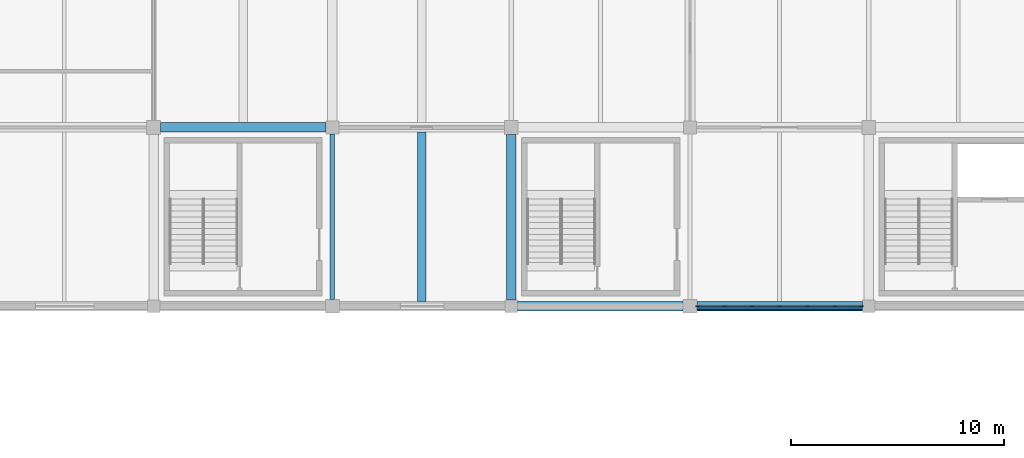
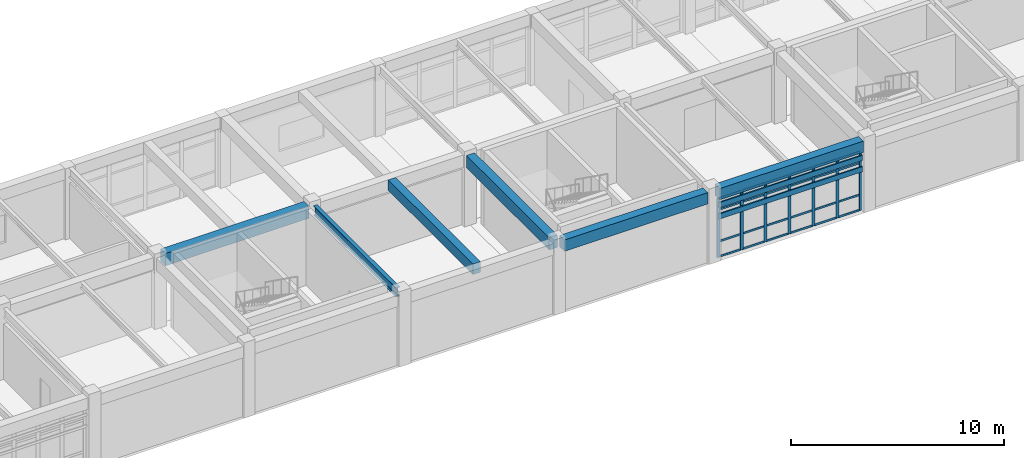
# One storey, part 7 of 18: 33 members, 6 beams, 1 element without a shape of its own.
"""IFC4 building model written with IfcOpenShell, lengths in metres."""

from ifc_helpers import new_model, si_unit, direction, frame, origin, origin_2d, place, context, subcontext, project, spatial, rectangle, i_section, extrude, material, layer, layer_set, material_profile, profile_set, type_object, element, aggregate, save


model = new_model("IFC4")

# Units and contexts
model_context = context("Model", 3, precision=1e-05, world=origin(), true_north=direction((0.0, 1.0)))
body_context = subcontext(model_context, "Body", "Model", "MODEL_VIEW")
ifc_project = project(units=[si_unit("LENGTHUNIT", "METRE"), si_unit("AREAUNIT", "SQUARE_METRE"), si_unit("VOLUMEUNIT", "CUBIC_METRE"), si_unit("PLANEANGLEUNIT", "RADIAN"), si_unit("MASSUNIT", "GRAM", prefix="KILO")], contexts=[model_context])

# Site, building, storey
site_placement = place(None, origin())
site = spatial("IfcSite", under=ifc_project, at=site_placement, CompositionType="ELEMENT")
building_placement = place(site_placement, origin())
building = spatial("IfcBuilding", under=site, at=building_placement, Name="Porcellanite Civic Hall", CompositionType="ELEMENT")
storey_placement = place(building_placement, frame((0.0, 0.0, 23.39990234375)))
storey = spatial("IfcBuildingStorey", under=building, at=storey_placement, Name="L05", CompositionType="ELEMENT", Elevation=23.39990234375)

# Beams
ifc_material_1 = material(Name="Concrete N50 (50 MPa)", Category="concrete")
ifc_material_profile_1 = material_profile(ifc_material_1, rectangle(XDim=0.39990234375, YDim=0.60009765625, at=origin_2d()), Name="RC-400x600")
ifc_profile_set_1 = profile_set([ifc_material_profile_1], Name="Concrete N50 (50 MPa)")
beam_type_1 = type_object("IfcBeamType", Name="BM-RC600", PredefinedType="JOIST", material=ifc_profile_set_1)
beam_1_placement = place(storey_placement, frame((88.199951171875, 101.0244140625, 3.77001953125), z_axis=(0.0, 1.0, 0.0), x_axis=(-1.0, 0.0, 0.0)))
element("IfcBeam", 1, at=beam_1_placement, inside=storey, type_object=beam_type_1, Name="Secondary joist L05 11-13", PredefinedType="JOIST", context=body_context, shape_type="SweptSolid", body=[
    extrude(rectangle(XDim=0.39990234375, YDim=0.60009765625, at=origin_2d()), origin(), (0.0, 0.0, 1.0), 7.951171875),
])
ifc_material_2 = material(Name="Concrete N50 (50 MPa)", Category="concrete")
ifc_material_profile_2 = material_profile(ifc_material_2, rectangle(XDim=0.449951171875, YDim=0.64990234375, at=origin_2d()), Name="RC-450x650")
ifc_profile_set_2 = profile_set([ifc_material_profile_2], Name="Concrete N50 (50 MPa)")
beam_type_2 = type_object("IfcBeamType", Name="BM-RC650", PredefinedType="SPANDREL", material=ifc_profile_set_2)
beam_2_placement = place(storey_placement, frame((92.699462890625, 100.800048828125, 3.7451171875), z_axis=(1.0, 0.0, 0.0), x_axis=(0.0, 1.0, 0.0)))
element("IfcBeam", 2, at=beam_2_placement, inside=storey, type_object=beam_type_2, Name="Beam X L05 12-13", PredefinedType="SPANDREL", context=body_context, shape_type="SweptSolid", body=[
    extrude(rectangle(XDim=0.449951171875, YDim=0.64990234375, at=origin_2d()), origin(), (0.0, 0.0, 1.0), 7.776123046875),
])
beam_3_placement = place(storey_placement, frame((101.12451171875, 100.800048828125, 3.7451171875), z_axis=(1.0, 0.0, 0.0), x_axis=(0.0, 1.0, 0.0)))
element("IfcBeam", 3, at=beam_3_placement, inside=storey, type_object=beam_type_2, Name="Beam X L05 13-13", PredefinedType="SPANDREL", context=body_context, shape_type="SweptSolid", body=[
    extrude(rectangle(XDim=0.449951171875, YDim=0.64990234375, at=origin_2d()), origin(), (0.0, 0.0, 1.0), 7.77587890625),
])
ifc_material_3 = material(Name="Concrete N50 (50 MPa)", Category="concrete")
ifc_material_profile_3 = material_profile(ifc_material_3, rectangle(XDim=0.449951171875, YDim=0.699951171875, at=origin_2d()), Name="RC-450x700")
ifc_profile_set_3 = profile_set([ifc_material_profile_3], Name="Concrete N50 (50 MPa)")
beam_type_3 = type_object("IfcBeamType", Name="BM-RC700", PredefinedType="BEAM", material=ifc_profile_set_3)
for number, where, z_axis, x_axis, name in (
    (4, (75.924560546875, 109.199951171875, 3.72021484375), (1.0, 0.0, 0.0), (0.0, 1.0, 0.0), "Beam X L05 10-14"),
    (5, (92.39990234375, 101.099609375, 3.72021484375), (0.0, 1.0, 0.0), (-1.0, 0.0, 0.0), "Beam Y L05 12-13"),
):
    element("IfcBeam", number, at=place(storey_placement, frame(where, z_axis=z_axis, x_axis=x_axis)), inside=storey, type_object=beam_type_3, Name=name, PredefinedType="BEAM", context=body_context, shape_type="SweptSolid", body=[
        extrude(rectangle(XDim=0.449951171875, YDim=0.699951171875, at=origin_2d()), origin(), (0.0, 0.0, 1.0), 7.77587890625),
    ])

# Curtain wall, members
ifc_material_4 = material(Name="Anodised aluminium and solar laminated glass", Category="aluminium")
ifc_layer = layer(ifc_material_4, 0.179931640625)
ifc_layer_set = layer_set([ifc_layer], Name="Anodised aluminium and solar laminated glass")
curtain_wall_type = type_object("IfcCurtainWallType", Name="CW-SYS07", PredefinedType="NOTDEFINED", material=ifc_layer_set)
curtain_wall_placement = place(storey_placement, origin())
curtain_wall = element("IfcCurtainWall", 6, at=curtain_wall_placement, inside=storey, type_object=curtain_wall_type, Name="Curtain wall CW-267", PredefinedType="NOTDEFINED")
ifc_material_5 = material(Name="Anodised aluminium 6063-T6", Category="aluminium")
ifc_material_profile_4 = material_profile(ifc_material_5, rectangle(XDim=0.06005859375, YDim=0.159912109375, at=origin_2d()), Name="AL-60x160")
ifc_profile_set_4 = profile_set([ifc_material_profile_4], Name="Anodised aluminium 6063-T6")
member_type_1 = type_object("IfcMemberType", Name="CWM-07", PredefinedType="MULLION", material=ifc_profile_set_4)
member_1_placement = place(storey_placement, frame((108.868896484375, 100.800048828125, 0.0), z_axis=(0.0, 0.0, 1.0), x_axis=(0.0, -1.0, 0.0)))
member_1 = element("IfcMember", 7, at=member_1_placement, type_object=member_type_1, Name="CW-267 mullion 1", PredefinedType="MULLION", context=body_context, shape_type="SweptSolid", body=[
    extrude(rectangle(XDim=0.06005859375, YDim=0.159912109375, at=origin_2d()), origin(), (0.0, 0.0, 1.0), 3.3701171875),
])
member_2_placement = place(storey_placement, frame((107.603515625, 100.800048828125, 0.0), z_axis=(0.0, 0.0, 1.0), x_axis=(0.0, -1.0, 0.0)))
member_2 = element("IfcMember", 8, at=member_2_placement, type_object=member_type_1, Name="CW-267 mullion 2", PredefinedType="MULLION", context=body_context, shape_type="SweptSolid", body=[
    extrude(rectangle(XDim=0.06005859375, YDim=0.159912109375, at=origin_2d()), origin(), (0.0, 0.0, 1.0), 3.3701171875),
])
member_3_placement = place(storey_placement, frame((106.30810546875, 100.800048828125, 0.0), z_axis=(0.0, 0.0, 1.0), x_axis=(0.0, -1.0, 0.0)))
member_3 = element("IfcMember", 9, at=member_3_placement, type_object=member_type_1, Name="CW-267 mullion 3", PredefinedType="MULLION", context=body_context, shape_type="SweptSolid", body=[
    extrude(rectangle(XDim=0.06005859375, YDim=0.159912109375, at=origin_2d()), origin(), (0.0, 0.0, 1.0), 3.3701171875),
])
member_4_placement = place(storey_placement, frame((105.012451171875, 100.800048828125, 0.0), z_axis=(0.0, 0.0, 1.0), x_axis=(0.0, -1.0, 0.0)))
member_4 = element("IfcMember", 10, at=member_4_placement, type_object=member_type_1, Name="CW-267 mullion 4", PredefinedType="MULLION", context=body_context, shape_type="SweptSolid", body=[
    extrude(rectangle(XDim=0.06005859375, YDim=0.159912109375, at=origin_2d()), origin(), (0.0, 0.0, 1.0), 3.3701171875),
])
member_5_placement = place(storey_placement, frame((103.717041015625, 100.800048828125, 0.0), z_axis=(0.0, 0.0, 1.0), x_axis=(0.0, -1.0, 0.0)))
member_5 = element("IfcMember", 11, at=member_5_placement, type_object=member_type_1, Name="CW-267 mullion 5", PredefinedType="MULLION", context=body_context, shape_type="SweptSolid", body=[
    extrude(rectangle(XDim=0.06005859375, YDim=0.159912109375, at=origin_2d()), origin(), (0.0, 0.0, 1.0), 3.3701171875),
])
member_6_placement = place(storey_placement, frame((102.42138671875, 100.800048828125, 0.0), z_axis=(0.0, 0.0, 1.0), x_axis=(0.0, -1.0, 0.0)))
member_6 = element("IfcMember", 12, at=member_6_placement, type_object=member_type_1, Name="CW-267 mullion 6", PredefinedType="MULLION", context=body_context, shape_type="SweptSolid", body=[
    extrude(rectangle(XDim=0.06005859375, YDim=0.159912109375, at=origin_2d()), origin(), (0.0, 0.0, 1.0), 3.3701171875),
])
member_7_placement = place(storey_placement, frame((101.156005859375, 100.800048828125, 0.0), z_axis=(0.0, 0.0, 1.0), x_axis=(0.0, -1.0, 0.0)))
member_7 = element("IfcMember", 13, at=member_7_placement, type_object=member_type_1, Name="CW-267 mullion 7", PredefinedType="MULLION", context=body_context, shape_type="SweptSolid", body=[
    extrude(rectangle(XDim=0.06005859375, YDim=0.159912109375, at=origin_2d()), origin(), (0.0, 0.0, 1.0), 3.3701171875),
])
ifc_material_6 = material(Name="Anodised aluminium 6063-T6", Category="aluminium")
ifc_material_profile_5 = material_profile(ifc_material_6, rectangle(XDim=0.050048828125, YDim=0.110107421875, at=origin_2d()), Name="AL-50x110")
ifc_profile_set_5 = profile_set([ifc_material_profile_5], Name="Anodised aluminium 6063-T6")
member_type_2 = type_object("IfcMemberType", Name="CWT-07", PredefinedType="USERDEFINED", material=ifc_profile_set_5)
member_8_placement = place(storey_placement, frame((108.839111328125, 100.800048828125, 0.025146484375), z_axis=(-1.0, 0.0, 0.0), x_axis=(0.0, -1.0, 0.0)))
member_8 = element("IfcMember", 14, at=member_8_placement, type_object=member_type_2, Name="CW-267 transom 1.1", ObjectType="TRANSOM", PredefinedType="USERDEFINED", context=body_context, shape_type="SweptSolid", body=[
    extrude(rectangle(XDim=0.050048828125, YDim=0.110107421875, at=origin_2d()), origin(), (0.0, 0.0, 1.0), 1.20556640625),
])
member_9_placement = place(storey_placement, frame((108.839111328125, 100.800048828125, 0.900146484375), z_axis=(-1.0, 0.0, 0.0), x_axis=(0.0, -1.0, 0.0)))
member_9 = element("IfcMember", 15, at=member_9_placement, type_object=member_type_2, Name="CW-267 transom 1.2", ObjectType="TRANSOM", PredefinedType="USERDEFINED", context=body_context, shape_type="SweptSolid", body=[
    extrude(rectangle(XDim=0.050048828125, YDim=0.110107421875, at=origin_2d()), origin(), (0.0, 0.0, 1.0), 1.20556640625),
])
member_10_placement = place(storey_placement, frame((108.839111328125, 100.800048828125, 2.72021484375), z_axis=(-1.0, 0.0, 0.0), x_axis=(0.0, -1.0, 0.0)))
member_10 = element("IfcMember", 16, at=member_10_placement, type_object=member_type_2, Name="CW-267 transom 1.3", ObjectType="TRANSOM", PredefinedType="USERDEFINED", context=body_context, shape_type="SweptSolid", body=[
    extrude(rectangle(XDim=0.050048828125, YDim=0.110107421875, at=origin_2d()), origin(), (0.0, 0.0, 1.0), 1.20556640625),
])
member_11_placement = place(storey_placement, frame((108.839111328125, 100.800048828125, 3.34521484375), z_axis=(-1.0, 0.0, 0.0), x_axis=(0.0, -1.0, 0.0)))
member_11 = element("IfcMember", 17, at=member_11_placement, type_object=member_type_2, Name="CW-267 transom 1.4", ObjectType="TRANSOM", PredefinedType="USERDEFINED", context=body_context, shape_type="SweptSolid", body=[
    extrude(rectangle(XDim=0.050048828125, YDim=0.110107421875, at=origin_2d()), origin(), (0.0, 0.0, 1.0), 1.20556640625),
])
member_12_placement = place(storey_placement, frame((107.573486328125, 100.800048828125, 0.025146484375), z_axis=(-1.0, 0.0, 0.0), x_axis=(0.0, -1.0, 0.0)))
member_12 = element("IfcMember", 18, at=member_12_placement, type_object=member_type_2, Name="CW-267 transom 2.1", ObjectType="TRANSOM", PredefinedType="USERDEFINED", context=body_context, shape_type="SweptSolid", body=[
    extrude(rectangle(XDim=0.050048828125, YDim=0.110107421875, at=origin_2d()), origin(), (0.0, 0.0, 1.0), 1.235595703125),
])
member_13_placement = place(storey_placement, frame((107.573486328125, 100.800048828125, 0.900146484375), z_axis=(-1.0, 0.0, 0.0), x_axis=(0.0, -1.0, 0.0)))
member_13 = element("IfcMember", 19, at=member_13_placement, type_object=member_type_2, Name="CW-267 transom 2.2", ObjectType="TRANSOM", PredefinedType="USERDEFINED", context=body_context, shape_type="SweptSolid", body=[
    extrude(rectangle(XDim=0.050048828125, YDim=0.110107421875, at=origin_2d()), origin(), (0.0, 0.0, 1.0), 1.235595703125),
])
member_14_placement = place(storey_placement, frame((107.573486328125, 100.800048828125, 2.72021484375), z_axis=(-1.0, 0.0, 0.0), x_axis=(0.0, -1.0, 0.0)))
member_14 = element("IfcMember", 20, at=member_14_placement, type_object=member_type_2, Name="CW-267 transom 2.3", ObjectType="TRANSOM", PredefinedType="USERDEFINED", context=body_context, shape_type="SweptSolid", body=[
    extrude(rectangle(XDim=0.050048828125, YDim=0.110107421875, at=origin_2d()), origin(), (0.0, 0.0, 1.0), 1.235595703125),
])
member_15_placement = place(storey_placement, frame((107.573486328125, 100.800048828125, 3.34521484375), z_axis=(-1.0, 0.0, 0.0), x_axis=(0.0, -1.0, 0.0)))
member_15 = element("IfcMember", 21, at=member_15_placement, type_object=member_type_2, Name="CW-267 transom 2.4", ObjectType="TRANSOM", PredefinedType="USERDEFINED", context=body_context, shape_type="SweptSolid", body=[
    extrude(rectangle(XDim=0.050048828125, YDim=0.110107421875, at=origin_2d()), origin(), (0.0, 0.0, 1.0), 1.235595703125),
])
member_16_placement = place(storey_placement, frame((106.278076171875, 100.800048828125, 0.025146484375), z_axis=(-1.0, 0.0, 0.0), x_axis=(0.0, -1.0, 0.0)))
member_16 = element("IfcMember", 22, at=member_16_placement, type_object=member_type_2, Name="CW-267 transom 3.1", ObjectType="TRANSOM", PredefinedType="USERDEFINED", context=body_context, shape_type="SweptSolid", body=[
    extrude(rectangle(XDim=0.050048828125, YDim=0.110107421875, at=origin_2d()), origin(), (0.0, 0.0, 1.0), 1.235595703125),
])
member_17_placement = place(storey_placement, frame((106.278076171875, 100.800048828125, 0.900146484375), z_axis=(-1.0, 0.0, 0.0), x_axis=(0.0, -1.0, 0.0)))
member_17 = element("IfcMember", 23, at=member_17_placement, type_object=member_type_2, Name="CW-267 transom 3.2", ObjectType="TRANSOM", PredefinedType="USERDEFINED", context=body_context, shape_type="SweptSolid", body=[
    extrude(rectangle(XDim=0.050048828125, YDim=0.110107421875, at=origin_2d()), origin(), (0.0, 0.0, 1.0), 1.235595703125),
])
member_18_placement = place(storey_placement, frame((106.278076171875, 100.800048828125, 2.72021484375), z_axis=(-1.0, 0.0, 0.0), x_axis=(0.0, -1.0, 0.0)))
member_18 = element("IfcMember", 24, at=member_18_placement, type_object=member_type_2, Name="CW-267 transom 3.3", ObjectType="TRANSOM", PredefinedType="USERDEFINED", context=body_context, shape_type="SweptSolid", body=[
    extrude(rectangle(XDim=0.050048828125, YDim=0.110107421875, at=origin_2d()), origin(), (0.0, 0.0, 1.0), 1.235595703125),
])
member_19_placement = place(storey_placement, frame((106.278076171875, 100.800048828125, 3.34521484375), z_axis=(-1.0, 0.0, 0.0), x_axis=(0.0, -1.0, 0.0)))
member_19 = element("IfcMember", 25, at=member_19_placement, type_object=member_type_2, Name="CW-267 transom 3.4", ObjectType="TRANSOM", PredefinedType="USERDEFINED", context=body_context, shape_type="SweptSolid", body=[
    extrude(rectangle(XDim=0.050048828125, YDim=0.110107421875, at=origin_2d()), origin(), (0.0, 0.0, 1.0), 1.235595703125),
])
member_20_placement = place(storey_placement, frame((104.982421875, 100.800048828125, 0.025146484375), z_axis=(-1.0, 0.0, 0.0), x_axis=(0.0, -1.0, 0.0)))
member_20 = element("IfcMember", 26, at=member_20_placement, type_object=member_type_2, Name="CW-267 transom 4.1", ObjectType="TRANSOM", PredefinedType="USERDEFINED", context=body_context, shape_type="SweptSolid", body=[
    extrude(rectangle(XDim=0.050048828125, YDim=0.110107421875, at=origin_2d()), origin(), (0.0, 0.0, 1.0), 1.2353515625),
])
member_21_placement = place(storey_placement, frame((104.982421875, 100.800048828125, 0.900146484375), z_axis=(-1.0, 0.0, 0.0), x_axis=(0.0, -1.0, 0.0)))
member_21 = element("IfcMember", 27, at=member_21_placement, type_object=member_type_2, Name="CW-267 transom 4.2", ObjectType="TRANSOM", PredefinedType="USERDEFINED", context=body_context, shape_type="SweptSolid", body=[
    extrude(rectangle(XDim=0.050048828125, YDim=0.110107421875, at=origin_2d()), origin(), (0.0, 0.0, 1.0), 1.2353515625),
])
member_22_placement = place(storey_placement, frame((104.982421875, 100.800048828125, 2.72021484375), z_axis=(-1.0, 0.0, 0.0), x_axis=(0.0, -1.0, 0.0)))
member_22 = element("IfcMember", 28, at=member_22_placement, type_object=member_type_2, Name="CW-267 transom 4.3", ObjectType="TRANSOM", PredefinedType="USERDEFINED", context=body_context, shape_type="SweptSolid", body=[
    extrude(rectangle(XDim=0.050048828125, YDim=0.110107421875, at=origin_2d()), origin(), (0.0, 0.0, 1.0), 1.2353515625),
])
member_23_placement = place(storey_placement, frame((104.982421875, 100.800048828125, 3.34521484375), z_axis=(-1.0, 0.0, 0.0), x_axis=(0.0, -1.0, 0.0)))
member_23 = element("IfcMember", 29, at=member_23_placement, type_object=member_type_2, Name="CW-267 transom 4.4", ObjectType="TRANSOM", PredefinedType="USERDEFINED", context=body_context, shape_type="SweptSolid", body=[
    extrude(rectangle(XDim=0.050048828125, YDim=0.110107421875, at=origin_2d()), origin(), (0.0, 0.0, 1.0), 1.2353515625),
])
member_24_placement = place(storey_placement, frame((103.68701171875, 100.800048828125, 0.025146484375), z_axis=(-1.0, 0.0, 0.0), x_axis=(0.0, -1.0, 0.0)))
member_24 = element("IfcMember", 30, at=member_24_placement, type_object=member_type_2, Name="CW-267 transom 5.1", ObjectType="TRANSOM", PredefinedType="USERDEFINED", context=body_context, shape_type="SweptSolid", body=[
    extrude(rectangle(XDim=0.050048828125, YDim=0.110107421875, at=origin_2d()), origin(), (0.0, 0.0, 1.0), 1.235595703125),
])
member_25_placement = place(storey_placement, frame((103.68701171875, 100.800048828125, 0.900146484375), z_axis=(-1.0, 0.0, 0.0), x_axis=(0.0, -1.0, 0.0)))
member_25 = element("IfcMember", 31, at=member_25_placement, type_object=member_type_2, Name="CW-267 transom 5.2", ObjectType="TRANSOM", PredefinedType="USERDEFINED", context=body_context, shape_type="SweptSolid", body=[
    extrude(rectangle(XDim=0.050048828125, YDim=0.110107421875, at=origin_2d()), origin(), (0.0, 0.0, 1.0), 1.235595703125),
])
member_26_placement = place(storey_placement, frame((103.68701171875, 100.800048828125, 2.72021484375), z_axis=(-1.0, 0.0, 0.0), x_axis=(0.0, -1.0, 0.0)))
member_26 = element("IfcMember", 32, at=member_26_placement, type_object=member_type_2, Name="CW-267 transom 5.3", ObjectType="TRANSOM", PredefinedType="USERDEFINED", context=body_context, shape_type="SweptSolid", body=[
    extrude(rectangle(XDim=0.050048828125, YDim=0.110107421875, at=origin_2d()), origin(), (0.0, 0.0, 1.0), 1.235595703125),
])
member_27_placement = place(storey_placement, frame((103.68701171875, 100.800048828125, 3.34521484375), z_axis=(-1.0, 0.0, 0.0), x_axis=(0.0, -1.0, 0.0)))
member_27 = element("IfcMember", 33, at=member_27_placement, type_object=member_type_2, Name="CW-267 transom 5.4", ObjectType="TRANSOM", PredefinedType="USERDEFINED", context=body_context, shape_type="SweptSolid", body=[
    extrude(rectangle(XDim=0.050048828125, YDim=0.110107421875, at=origin_2d()), origin(), (0.0, 0.0, 1.0), 1.235595703125),
])
member_28_placement = place(storey_placement, frame((102.3916015625, 100.800048828125, 0.025146484375), z_axis=(-1.0, 0.0, 0.0), x_axis=(0.0, -1.0, 0.0)))
member_28 = element("IfcMember", 34, at=member_28_placement, type_object=member_type_2, Name="CW-267 transom 6.1", ObjectType="TRANSOM", PredefinedType="USERDEFINED", context=body_context, shape_type="SweptSolid", body=[
    extrude(rectangle(XDim=0.050048828125, YDim=0.110107421875, at=origin_2d()), origin(), (0.0, 0.0, 1.0), 1.20556640625),
])
member_29_placement = place(storey_placement, frame((102.3916015625, 100.800048828125, 0.900146484375), z_axis=(-1.0, 0.0, 0.0), x_axis=(0.0, -1.0, 0.0)))
member_29 = element("IfcMember", 35, at=member_29_placement, type_object=member_type_2, Name="CW-267 transom 6.2", ObjectType="TRANSOM", PredefinedType="USERDEFINED", context=body_context, shape_type="SweptSolid", body=[
    extrude(rectangle(XDim=0.050048828125, YDim=0.110107421875, at=origin_2d()), origin(), (0.0, 0.0, 1.0), 1.20556640625),
])
member_30_placement = place(storey_placement, frame((102.3916015625, 100.800048828125, 2.72021484375), z_axis=(-1.0, 0.0, 0.0), x_axis=(0.0, -1.0, 0.0)))
member_30 = element("IfcMember", 36, at=member_30_placement, type_object=member_type_2, Name="CW-267 transom 6.3", ObjectType="TRANSOM", PredefinedType="USERDEFINED", context=body_context, shape_type="SweptSolid", body=[
    extrude(rectangle(XDim=0.050048828125, YDim=0.110107421875, at=origin_2d()), origin(), (0.0, 0.0, 1.0), 1.20556640625),
])
member_31_placement = place(storey_placement, frame((102.3916015625, 100.800048828125, 3.34521484375), z_axis=(-1.0, 0.0, 0.0), x_axis=(0.0, -1.0, 0.0)))
member_31 = element("IfcMember", 37, at=member_31_placement, type_object=member_type_2, Name="CW-267 transom 6.4", ObjectType="TRANSOM", PredefinedType="USERDEFINED", context=body_context, shape_type="SweptSolid", body=[
    extrude(rectangle(XDim=0.050048828125, YDim=0.110107421875, at=origin_2d()), origin(), (0.0, 0.0, 1.0), 1.20556640625),
])
aggregate(curtain_wall, [member_1, member_2, member_3, member_4, member_5, member_6, member_7, member_8, member_9, member_10, member_11, member_12, member_13, member_14, member_15, member_16, member_17, member_18, member_19, member_20, member_21, member_22, member_23, member_24, member_25, member_26, member_27, member_28, member_29, member_30, member_31])

# Members
ifc_material_7 = material(Name="Fluoropolymer bauxite-red aluminium 6063-T6", Category="aluminium")
ifc_material_profile_6 = material_profile(ifc_material_7, rectangle(XDim=0.074951171875, YDim=0.300048828125, at=origin_2d()), Name="AL-75x300")
ifc_profile_set_6 = profile_set([ifc_material_profile_6], Name="Fluoropolymer bauxite-red aluminium 6063-T6")
member_type_3 = type_object("IfcMemberType", Name="LV-BLD04", PredefinedType="USERDEFINED", material=ifc_profile_set_6)
for number, where, z_axis, x_axis, name in (
    (38, (108.900390625, 100.680419921875, 3.070068359375), (-1.0, 0.0, 0.0), (0.0, -1.0, 0.0), "Cyclone sunshade louvre L05 S 12-12 1"),
    (39, (108.900390625, 100.680419921875, 2.420166015625), (-1.0, 0.0, 0.0), (0.0, -1.0, 0.0), "Cyclone sunshade louvre L05 S 12-12 2"),
):
    element("IfcMember", number, at=place(storey_placement, frame(where, z_axis=z_axis, x_axis=x_axis)), inside=storey, type_object=member_type_3, Name=name, ObjectType="LOUVRE BLADE", PredefinedType="USERDEFINED", context=body_context, shape_type="SweptSolid", body=[
        extrude(rectangle(XDim=0.074951171875, YDim=0.300048828125, at=origin_2d()), origin(), (0.0, 0.0, 1.0), 7.77587890625),
    ])

# Beam
ifc_material_8 = material(Name="Steel Grade 350", Category="steel")
ifc_material_profile_7 = material_profile(ifc_material_8, i_section(OverallWidth=0.208984375, OverallDepth=0.528076171875, WebThickness=0.009521484375, FlangeThickness=0.01318359375, FilletRadius=0.013916015625, at=origin_2d()), Name="530UB82.0")
ifc_profile_set_7 = profile_set([ifc_material_profile_7], Name="Steel Grade 350")
beam_type_4 = type_object("IfcBeamType", Name="RAF-530UB82", PredefinedType="BEAM", material=ifc_profile_set_7)
beam_4_placement = place(storey_placement, frame((84.0, 101.12451171875, 3.80615234375), z_axis=(0.0, 1.0, 0.0), x_axis=(-1.0, 0.0, 0.0)))
element("IfcBeam", 40, at=beam_4_placement, inside=storey, type_object=beam_type_4, Name="Beam Y L05 11-13", PredefinedType="BEAM", context=body_context, shape_type="SweptSolid", body=[
    extrude(i_section(OverallWidth=0.208984375, OverallDepth=0.528076171875, WebThickness=0.009521484375, FlangeThickness=0.01318359375, FilletRadius=0.013916015625, at=origin_2d()), origin(), (0.0, 0.0, 1.0), 7.77587890625),
])

save(model, "model.ifc")
